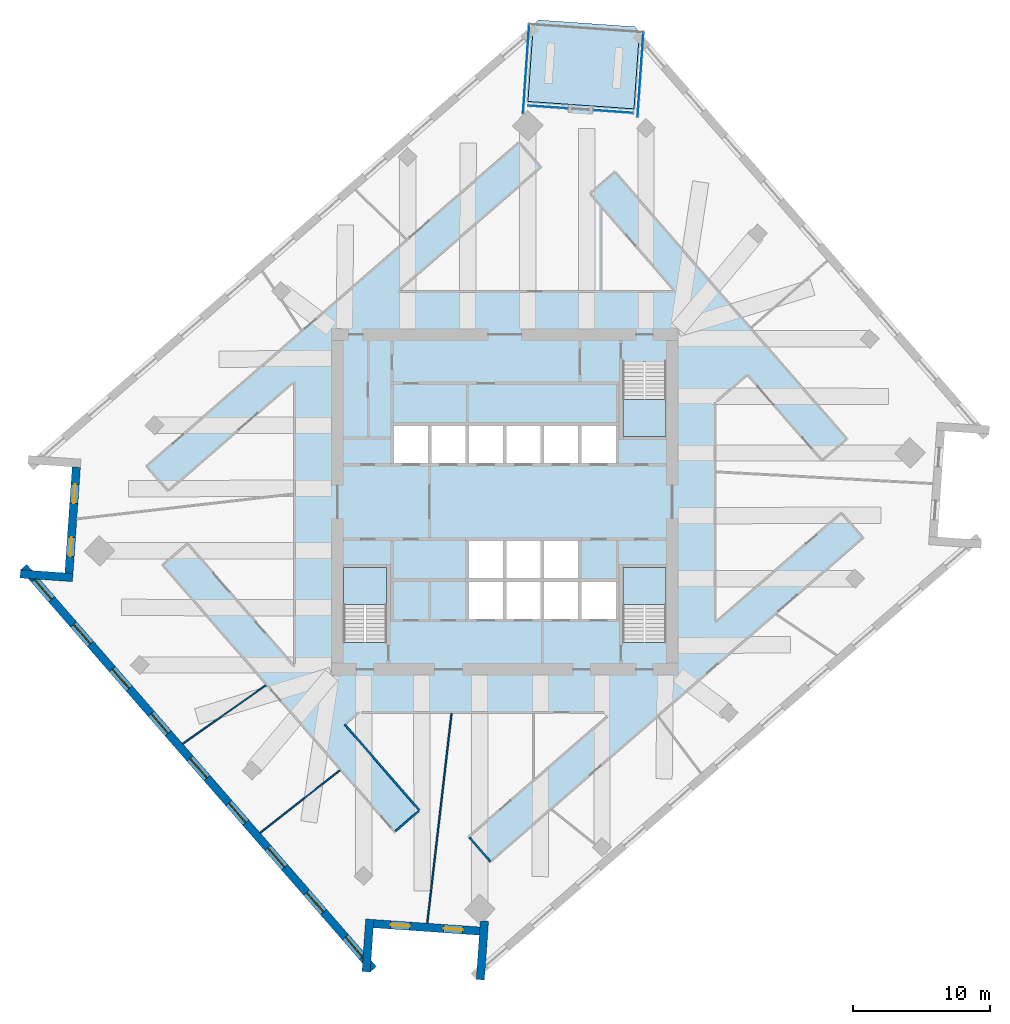
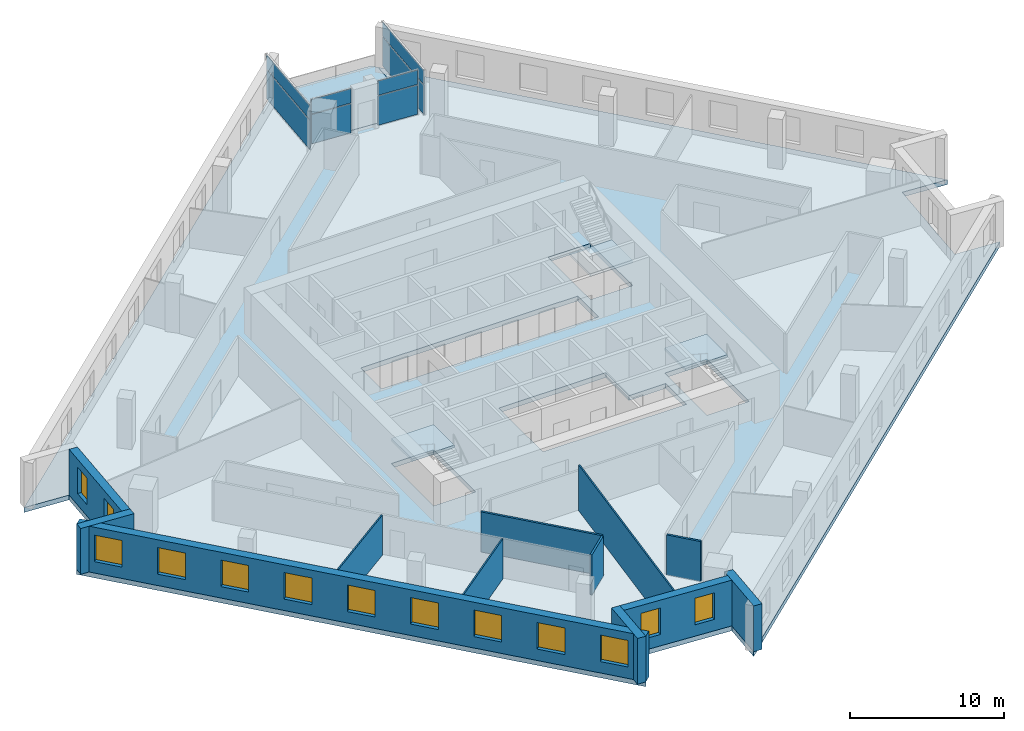
# One storey, part 3 of 11: 13 windows, 12 walls, 8 plates, 5 slabs, 13 openings, 7 elements without a shape of their own.
"""IFC4 building model written with IfcOpenShell, lengths in metres."""

import ifcopenshell
import ifcopenshell.guid

model = None  # the IFC model being written
_history = None  # IfcOwnerHistory: only IFC2X3 demands one
_inside = {}  # id of a spatial element -> (the spatial element, [elements in it])
_under = {}  # id of a project, library or spatial element -> (it, [spatial elements below it])
_declared = {}  # id of a project -> (the project, [libraries it declares])
_typed = {}  # id of a type object -> (the type object, [elements of that type])
_made_of = {}  # id of a material, layer set ... -> (it, [elements and type objects made of it])


def new_model(schema):
    """Start an empty IFC model of exactly this schema.

    Asked for "IFC4X3", IfcOpenShell would pick the latest addendum, in which some entities
    have other attributes; the version numbers below select the first issue.
    IFC2X3 requires an IfcOwnerHistory on every rooted entity: one is made here for all.
    """
    global model, _history
    if schema == "IFC4X3":
        model = ifcopenshell.file(schema_version=(4, 3, 0, 0))
    else:
        model = ifcopenshell.file(schema=schema)
    _inside.clear()
    _under.clear()
    _declared.clear()
    _typed.clear()
    _made_of.clear()
    _history = None
    if model.schema == "IFC2X3":
        org = make("IfcOrganization", Name="unknown")
        user = make(
            "IfcPersonAndOrganization",
            ThePerson=make("IfcPerson", FamilyName="unknown"),
            TheOrganization=org,
        )
        app = make(
            "IfcApplication",
            ApplicationDeveloper=org,
            Version="unknown",
            ApplicationFullName="unknown",
            ApplicationIdentifier="unknown",
        )
        _history = make(
            "IfcOwnerHistory",
            OwningUser=user,
            OwningApplication=app,
            ChangeAction="ADDED",
            CreationDate=0,
        )
    return model


def make(cls, **values):
    """One entity of the class cls with the attributes given. An attribute that is None is left unset."""
    return model.create_entity(
        cls, **{name: value for name, value in values.items() if value is not None}
    )


def rooted(cls, **values):
    """An entity with a GlobalId (a new one), such as an element, a storey or a relation."""
    return make(cls, GlobalId=ifcopenshell.guid.new(), OwnerHistory=_history, **values)


def si_unit(unit_type, name, prefix=None):
    """IfcSIUnit, for example si_unit("LENGTHUNIT", "METRE", prefix="MILLI")."""
    return make("IfcSIUnit", UnitType=unit_type, Prefix=prefix, Name=name)


def assignment(units):
    """IfcUnitAssignment: the units of a project."""
    return None if units is None else make("IfcUnitAssignment", Units=units)


def point(xyz):
    """IfcCartesianPoint."""
    return None if xyz is None else make("IfcCartesianPoint", Coordinates=xyz)


def direction(xyz):
    """IfcDirection."""
    return None if xyz is None else make("IfcDirection", DirectionRatios=xyz)


def frame(location, z_axis=None, x_axis=None):
    """IfcAxis2Placement3D, a coordinate frame: its origin and axes. An axis left out is left unset."""
    return make(
        "IfcAxis2Placement3D",
        Location=point(location),
        Axis=direction(z_axis),
        RefDirection=direction(x_axis),
    )


def frame_2d(location, x_axis=None):
    """IfcAxis2Placement2D, a coordinate frame in the plane: its origin and x axis."""
    return make(
        "IfcAxis2Placement2D", Location=point(location), RefDirection=direction(x_axis)
    )


def origin():
    """The frame at (0, 0, 0) with its axes left unset."""
    return frame((0.0, 0.0, 0.0))


def origin_2d():
    """The frame at (0, 0) in the plane with its x axis left unset."""
    return frame_2d((0.0, 0.0))


def place(relative_to, where):
    """IfcLocalPlacement: puts the frame where relative to a parent placement (None: the world)."""
    return make(
        "IfcLocalPlacement", PlacementRelTo=relative_to, RelativePlacement=where
    )


def context(
    kind, dimensions, precision=None, world=None, true_north=None, identifier=None
):
    """IfcGeometricRepresentationContext, for example the 3D "Model" context."""
    return make(
        "IfcGeometricRepresentationContext",
        ContextIdentifier=identifier,
        ContextType=kind,
        CoordinateSpaceDimension=dimensions,
        Precision=precision,
        WorldCoordinateSystem=world,
        TrueNorth=true_north,
    )


def subcontext(parent, identifier, kind, view, scale=None):
    """IfcGeometricRepresentationSubContext, for example "Body" below "Model"."""
    return make(
        "IfcGeometricRepresentationSubContext",
        ContextIdentifier=identifier,
        ContextType=kind,
        ParentContext=parent,
        TargetScale=scale,
        TargetView=view,
    )


def project(units=None, contexts=None):
    """IfcProject with its units and contexts."""
    return rooted(
        "IfcProject",
        Name="project",
        RepresentationContexts=contexts,
        UnitsInContext=assignment(units),
    )


def spatial(cls, under=None, at=None, **own):
    """A site, building, storey or space (cls), placed at a placement, below another one or the project."""
    s = rooted(cls, ObjectPlacement=at, **own)
    if under is not None:
        _under.setdefault(under.id(), (under, []))[1].append(s)
    return s


def polyline(points):
    """IfcPolyline through the points."""
    return make("IfcPolyline", Points=[point(p) for p in points])


def profile(cls, at=None, kind="AREA", **sizes):
    """A parametric profile (cls). Its sizes go by their IFC names, for example OverallWidth=200.0."""
    return make(cls, ProfileType=kind, Position=at, **sizes)


def rectangle(**sizes):
    """IfcRectangleProfileDef."""
    return profile("IfcRectangleProfileDef", **sizes)


def outline(outer, holes=None, kind="AREA"):
    """IfcArbitraryClosedProfileDef: a profile drawn as a closed curve; with holes, ...WithVoids."""
    if holes is None:
        return make("IfcArbitraryClosedProfileDef", ProfileType=kind, OuterCurve=outer)
    return make(
        "IfcArbitraryProfileDefWithVoids",
        ProfileType=kind,
        OuterCurve=outer,
        InnerCurves=holes,
    )


def extrude(swept, where, along, depth):
    """IfcExtrudedAreaSolid: the profile swept, set in the frame where, extruded along a direction by depth."""
    return make(
        "IfcExtrudedAreaSolid",
        SweptArea=swept,
        Position=where,
        ExtrudedDirection=direction(along),
        Depth=depth,
    )


def shape(context_of_items, identifier, shape_type, items):
    """IfcShapeRepresentation: the items that make up one representation, for example the "Body"."""
    return make(
        "IfcShapeRepresentation",
        ContextOfItems=context_of_items,
        RepresentationIdentifier=identifier,
        RepresentationType=shape_type,
        Items=items,
    )


def material(Name=None, Category=None):
    """IfcMaterial."""
    return make("IfcMaterial", Name=Name, Category=Category)


def layer(
    of_material, thickness, ventilated=None, Name=None, Category=None, Priority=None
):
    """IfcMaterialLayer: one layer of a wall or slab, of a material (None: an air gap)."""
    return make(
        "IfcMaterialLayer",
        Material=of_material,
        LayerThickness=thickness,
        IsVentilated=ventilated,
        Name=Name,
        Category=Category,
        Priority=Priority,
    )


def layer_set(layers, Name=None):
    """IfcMaterialLayerSet."""
    return make("IfcMaterialLayerSet", MaterialLayers=layers, LayerSetName=Name)


def made_of(thing, what):
    """Note that an element or type object is made of a material, layer set ...; save() writes the relation."""
    if what is not None:
        _made_of.setdefault(what.id(), (what, []))[1].append(thing)
    return thing


def type_object(cls, material=None, **own):
    """A type object (cls), such as IfcWallType, which elements share."""
    return made_of(rooted(cls, **own), material)


def element(
    cls,
    number,
    at=None,
    inside=None,
    cuts=None,
    type_object=None,
    material=None,
    context=None,
    identifier="Body",
    shape_type=None,
    held_by="IfcProductDefinitionShape",
    body=None,
    shapes=None,
    **own,
):
    """One element of the class cls, such as IfcWall. Its Tag is "e" and its number.

    at: its placement. inside: the storey or other place that contains it. cuts: it is an
    opening in that element (IfcRelVoidsElement). A single representation is given by context,
    identifier, shape_type and body (its items); several are given by shapes. held_by: the class
    of the entity that holds the representations. save() writes the other relations.
    """
    e = rooted(cls, Tag="e%d" % number, ObjectPlacement=at, **own)
    if body is not None:
        shapes = [shape(context, identifier, shape_type, body)]
    if shapes is not None:
        e.Representation = make(held_by, Representations=shapes)
    if inside is not None:
        _inside.setdefault(inside.id(), (inside, []))[1].append(e)
    if cuts is not None:
        rooted(
            "IfcRelVoidsElement", RelatingBuildingElement=cuts, RelatedOpeningElement=e
        )
    if type_object is not None:
        _typed.setdefault(type_object.id(), (type_object, []))[1].append(e)
    return made_of(e, material)


def fill(opening, filler):
    """IfcRelFillsElement: the door or window that sits in an opening."""
    return rooted(
        "IfcRelFillsElement",
        RelatingOpeningElement=opening,
        RelatedBuildingElement=filler,
    )


def aggregate(whole, parts):
    """IfcRelAggregates: a whole, such as a stair, and the parts it consists of."""
    return rooted("IfcRelAggregates", RelatingObject=whole, RelatedObjects=parts)


def save(model, path):
    """Write the relations noted so far, then the file.

    IfcRelAggregates (storeys below a building ...), IfcRelContainedInSpatialStructure (elements
    in a storey), IfcRelDefinesByType, IfcRelAssociatesMaterial and IfcRelDeclares: one each for
    every whole, place, type object, material and project.
    """
    for whole, parts in _under.values():
        aggregate(whole, parts)
    for where, things in _inside.values():
        rooted(
            "IfcRelContainedInSpatialStructure",
            RelatedElements=things,
            RelatingStructure=where,
        )
    for kind, things in _typed.values():
        rooted("IfcRelDefinesByType", RelatedObjects=things, RelatingType=kind)
    for what, things in _made_of.values():
        rooted("IfcRelAssociatesMaterial", RelatedObjects=things, RelatingMaterial=what)
    for by, libraries in _declared.values():
        rooted("IfcRelDeclares", RelatingContext=by, RelatedDefinitions=libraries)
    model.write(path)


model = new_model("IFC4")

# Units and contexts
model_context = context("Model", 3, precision=1e-05, world=origin(), true_north=direction((0.0, 1.0)))
body_context = subcontext(model_context, "Body", "Model", "MODEL_VIEW")
ifc_project = project(units=[si_unit("LENGTHUNIT", "METRE"), si_unit("AREAUNIT", "SQUARE_METRE"), si_unit("VOLUMEUNIT", "CUBIC_METRE"), si_unit("PLANEANGLEUNIT", "RADIAN"), si_unit("MASSUNIT", "GRAM", prefix="KILO")], contexts=[model_context])

# Site, building, storey
site_placement = place(None, origin())
site = spatial("IfcSite", under=ifc_project, at=site_placement, CompositionType="ELEMENT")
building_placement = place(site_placement, origin())
building = spatial("IfcBuilding", under=site, at=building_placement, Name="Dilmun Exchange Tower", CompositionType="ELEMENT")
storey_placement = place(building_placement, frame((0.0, 0.0, 189.300048828125)))
storey = spatial("IfcBuildingStorey", under=building, at=storey_placement, Name="L44", CompositionType="ELEMENT", Elevation=189.300048828125)

# Stair, slab
ifc_material_1 = material(Name="Concrete C40/50", Category="concrete")
stair_type = type_object("IfcStairType", Name="Exit stair 1500 half-turn", PredefinedType="HALF_TURN_STAIR", material=ifc_material_1)
stair_1_placement = place(storey_placement, origin())
stair_1 = element("IfcStair", 1, at=stair_1_placement, inside=storey, type_object=stair_type, Name="L44 Protected exit stair ST1", PredefinedType="HALF_TURN_STAIR")
ifc_layer_1 = layer(ifc_material_1, 0.199951171875)
ifc_layer_set_1 = layer_set([ifc_layer_1], Name="Concrete C40/50")
slab_type_1 = type_object("IfcSlabType", Name="Exit stair landing 200", PredefinedType="LANDING", material=ifc_layer_set_1)
slab_1_placement = place(storey_placement, frame((0.0, 0.0, 1.800048828125)))
slab_1 = element("IfcSlab", 2, at=slab_1_placement, type_object=slab_type_1, Name="ST1 landing 1", PredefinedType="LANDING", context=body_context, shape_type="SweptSolid", body=[
    extrude(outline(polyline([(8.64990234375, 7.5), (8.64990234375, 4.800048828125), (11.800048828125, 4.800048828125), (11.800048828125, 7.5), (8.64990234375, 7.5)])), origin(), (0.0, 0.0, 1.0), 0.199951171875),
])
aggregate(stair_1, [slab_1])

stair_2_placement = place(storey_placement, origin())
stair_2 = element("IfcStair", 3, at=stair_2_placement, inside=storey, type_object=stair_type, Name="L44 Protected exit stair ST2", PredefinedType="HALF_TURN_STAIR")
slab_2_placement = place(storey_placement, frame((0.0, 0.0, 1.800048828125)))
slab_2 = element("IfcSlab", 4, at=slab_2_placement, type_object=slab_type_1, Name="ST2 landing 1", PredefinedType="LANDING", context=body_context, shape_type="SweptSolid", body=[
    extrude(outline(polyline([(-8.64990234375, -7.5), (-8.64990234375, -4.800048828125), (-11.800048828125, -4.800048828125), (-11.800048828125, -7.5), (-8.64990234375, -7.5)])), origin(), (0.0, 0.0, 1.0), 0.199951171875),
])
aggregate(stair_2, [slab_2])

stair_3_placement = place(storey_placement, origin())
stair_3 = element("IfcStair", 5, at=stair_3_placement, inside=storey, type_object=stair_type, Name="L44 Protected exit stair ST3", PredefinedType="HALF_TURN_STAIR")
slab_3_placement = place(storey_placement, frame((0.0, 0.0, 1.800048828125)))
slab_3 = element("IfcSlab", 6, at=slab_3_placement, type_object=slab_type_1, Name="ST3 landing 1", PredefinedType="LANDING", context=body_context, shape_type="SweptSolid", body=[
    extrude(outline(polyline([(11.800048828125, -7.5), (11.800048828125, -4.800048828125), (8.64990234375, -4.800048828125), (8.64990234375, -7.5), (11.800048828125, -7.5)])), origin(), (0.0, 0.0, 1.0), 0.199951171875),
])
aggregate(stair_3, [slab_3])

# Curtain wall, plates
ifc_material_2 = material(Name="Anodised aluminium and clear glass", Category="aluminium")
curtain_wall_type = type_object("IfcCurtainWallType", Name="Garden corner glazing", PredefinedType="NOTDEFINED", material=ifc_material_2)
curtain_wall_1_placement = place(storey_placement, origin())
curtain_wall_1 = element("IfcCurtainWall", 7, at=curtain_wall_1_placement, inside=storey, type_object=curtain_wall_type, Name="Garden corner glazing run GC1.1", PredefinedType="NOTDEFINED")
ifc_material_3 = material(Name="Clear glass", Category="glass")
ifc_layer_2 = layer(ifc_material_3, 0.028076171875)
ifc_layer_set_2 = layer_set([ifc_layer_2], Name="Clear glass")
plate_type = type_object("IfcPlateType", Name="Garden corner glazing glass panel 28", PredefinedType="CURTAIN_PANEL", material=ifc_layer_set_2)
plate_1_placement = place(storey_placement, frame((9.929443359375, 31.26220703125, 0.059814453125), z_axis=(0.0, 0.0, 1.0), x_axis=(-0.06975202085, -0.997564361627, 0.0)))
plate_1 = element("IfcPlate", 8, at=plate_1_placement, type_object=plate_type, Name="GC1.1 panel 1.1", PredefinedType="CURTAIN_PANEL", context=body_context, shape_type="SweptSolid", body=[
    extrude(rectangle(XDim=6.12646484375, YDim=0.028076171875, at=origin_2d()), origin(), (0.0, 0.0, 1.0), 2.31005859375),
])
plate_2_placement = place(storey_placement, frame((9.929443359375, 31.26220703125, 2.429931640625), z_axis=(0.0, 0.0, 1.0), x_axis=(-0.06975202085, -0.997564361627, 0.0)))
plate_2 = element("IfcPlate", 9, at=plate_2_placement, type_object=plate_type, Name="GC1.1 panel 1.2", PredefinedType="CURTAIN_PANEL", context=body_context, shape_type="SweptSolid", body=[
    extrude(rectangle(XDim=6.12646484375, YDim=0.028076171875, at=origin_2d()), origin(), (0.0, 0.0, 1.0), 1.1298828125),
])
aggregate(curtain_wall_1, [plate_1, plate_2])

curtain_wall_2_placement = place(storey_placement, origin())
curtain_wall_2 = element("IfcCurtainWall", 10, at=curtain_wall_2_placement, inside=storey, type_object=curtain_wall_type, Name="Garden corner glazing run GC2.1", PredefinedType="NOTDEFINED")
plate_3_placement = place(storey_placement, frame((7.9423828125, 28.57080078125, 0.059814453125), z_axis=(0.0, 0.0, 1.0), x_axis=(-0.997561902605, 0.069787179845, 0.0)))
plate_3 = element("IfcPlate", 11, at=plate_3_placement, type_object=plate_type, Name="GC2.1 panel 1.1", PredefinedType="CURTAIN_PANEL", context=body_context, shape_type="SweptSolid", body=[
    extrude(rectangle(XDim=2.869140625, YDim=0.028076171875, at=origin_2d()), origin(), (0.0, 0.0, 1.0), 2.31005859375),
])
plate_4_placement = place(storey_placement, frame((7.9423828125, 28.57080078125, 2.429931640625), z_axis=(0.0, 0.0, 1.0), x_axis=(-0.997561902605, 0.069787179845, 0.0)))
plate_4 = element("IfcPlate", 12, at=plate_4_placement, type_object=plate_type, Name="GC2.1 panel 1.2", PredefinedType="CURTAIN_PANEL", context=body_context, shape_type="SweptSolid", body=[
    extrude(rectangle(XDim=2.869140625, YDim=0.028076171875, at=origin_2d()), origin(), (0.0, 0.0, 1.0), 1.1298828125),
])
aggregate(curtain_wall_2, [plate_3, plate_4])

curtain_wall_3_placement = place(storey_placement, origin())
curtain_wall_3 = element("IfcCurtainWall", 13, at=curtain_wall_3_placement, inside=storey, type_object=curtain_wall_type, Name="Garden corner glazing run GC2.3", PredefinedType="NOTDEFINED")
plate_5_placement = place(storey_placement, frame((3.1650390625, 28.905029296875, 0.059814453125), z_axis=(0.0, 0.0, 1.0), x_axis=(-0.997564231094, 0.069753887652, 0.0)))
plate_5 = element("IfcPlate", 14, at=plate_5_placement, type_object=plate_type, Name="GC2.3 panel 1.1", PredefinedType="CURTAIN_PANEL", context=body_context, shape_type="SweptSolid", body=[
    extrude(rectangle(XDim=2.869140625, YDim=0.028076171875, at=origin_2d()), origin(), (0.0, 0.0, 1.0), 2.31005859375),
])
plate_6_placement = place(storey_placement, frame((3.1650390625, 28.905029296875, 2.429931640625), z_axis=(0.0, 0.0, 1.0), x_axis=(-0.997564231094, 0.069753887652, 0.0)))
plate_6 = element("IfcPlate", 15, at=plate_6_placement, type_object=plate_type, Name="GC2.3 panel 1.2", PredefinedType="CURTAIN_PANEL", context=body_context, shape_type="SweptSolid", body=[
    extrude(rectangle(XDim=2.869140625, YDim=0.028076171875, at=origin_2d()), origin(), (0.0, 0.0, 1.0), 1.1298828125),
])
aggregate(curtain_wall_3, [plate_5, plate_6])

curtain_wall_4_placement = place(storey_placement, origin())
curtain_wall_4 = element("IfcCurtainWall", 16, at=curtain_wall_4_placement, inside=storey, type_object=curtain_wall_type, Name="Garden corner glazing run GC3.1", PredefinedType="NOTDEFINED")
plate_7_placement = place(storey_placement, frame((1.559814453125, 31.675537109375, 0.059814453125), z_axis=(0.0, 0.0, 1.0), x_axis=(0.069752103743, 0.99756435583, 0.0)))
plate_7 = element("IfcPlate", 17, at=plate_7_placement, type_object=plate_type, Name="GC3.1 panel 1.1", PredefinedType="CURTAIN_PANEL", context=body_context, shape_type="SweptSolid", body=[
    extrude(rectangle(XDim=6.468994140625, YDim=0.028076171875, at=origin_2d()), origin(), (0.0, 0.0, 1.0), 2.31005859375),
])
plate_8_placement = place(storey_placement, frame((1.559814453125, 31.675537109375, 2.429931640625), z_axis=(0.0, 0.0, 1.0), x_axis=(0.069752103743, 0.99756435583, 0.0)))
plate_8 = element("IfcPlate", 18, at=plate_8_placement, type_object=plate_type, Name="GC3.1 panel 1.2", PredefinedType="CURTAIN_PANEL", context=body_context, shape_type="SweptSolid", body=[
    extrude(rectangle(XDim=6.468994140625, YDim=0.028076171875, at=origin_2d()), origin(), (0.0, 0.0, 1.0), 1.1298828125),
])
aggregate(curtain_wall_4, [plate_7, plate_8])

# Slabs
ifc_layer_3 = layer(ifc_material_1, 0.3798828125)
ifc_layer_set_3 = layer_set([ifc_layer_3], Name="Concrete C40/50")
slab_type_2 = type_object("IfcSlabType", Name="RC floor slab 380", PredefinedType="FLOOR", material=ifc_layer_set_3)
slab_4_placement = place(storey_placement, frame((0.0, 0.0, -0.380126953125)))
element("IfcSlab", 19, at=slab_4_placement, inside=storey, type_object=slab_type_2, Name="Floor slab", PredefinedType="FLOOR", context=body_context, shape_type="SweptSolid", body=[
    extrude(outline(polyline([(32.19580078125, 5.19140625), (31.6533203125, -2.56787109375), (34.891845703125, -2.794189453125), (-2.0888671875, -34.941162109375), (-1.8623046875, -31.70263671875), (-9.62158203125, -31.16015625), (-9.84814453125, -34.398681640625), (-35.434326171875, -4.96484375), (-32.19580078125, -5.19140625), (-31.6533203125, 2.56787109375), (-34.891845703125, 2.794189453125), (2.0888671875, 34.941162109375), (1.695068359375, 29.30859375), (9.454345703125, 28.765869140625), (9.84814453125, 34.398681640625), (35.434326171875, 4.96484375), (32.19580078125, 5.19140625)]), holes=[polyline([(-8.64990234375, -4.800048828125), (-11.800048828125, -4.800048828125), (-11.800048828125, -10.294921875), (-8.64990234375, -10.294921875), (-8.64990234375, -4.800048828125)]), polyline([(11.800048828125, -4.800048828125), (8.64990234375, -4.800048828125), (8.64990234375, -10.294921875), (11.800048828125, -10.294921875), (11.800048828125, -4.800048828125)]), polyline([(5.375, -2.85009765625), (-2.625, -2.85009765625), (-2.625, -8.550048828125), (8.125, -8.550048828125), (8.125, -5.85009765625), (5.375, -5.85009765625), (5.375, -2.85009765625)]), polyline([(8.125, 2.85009765625), (8.125, 5.550048828125), (-8.125, 5.550048828125), (-8.125, 2.85009765625), (8.125, 2.85009765625)]), polyline([(8.64990234375, 10.294921875), (8.64990234375, 4.800048828125), (11.800048828125, 4.800048828125), (11.800048828125, 10.294921875), (8.64990234375, 10.294921875)])]), origin(), (0.0, 0.0, 1.0), 0.380126953125),
])
ifc_layer_4 = layer(ifc_material_1, 0.300048828125)
ifc_layer_set_4 = layer_set([ifc_layer_4], Name="Concrete C40/50")
slab_type_3 = type_object("IfcSlabType", Name="RC garden terrace slab 300", PredefinedType="FLOOR", material=ifc_layer_set_4)
slab_5_placement = place(storey_placement, frame((0.0, 0.0, -0.300048828125)))
element("IfcSlab", 20, at=slab_5_placement, inside=storey, type_object=slab_type_3, Name="Garden terrace slab", PredefinedType="FLOOR", context=body_context, shape_type="SweptSolid", body=[
    extrude(outline(polyline([(1.695068359375, 29.30859375), (2.0888671875, 34.941162109375), (2.46630859375, 35.269287109375), (9.52001953125, 34.77587890625), (9.84814453125, 34.398681640625), (9.454345703125, 28.765869140625), (1.695068359375, 29.30859375)])), origin(), (0.0, 0.0, 1.0), 0.300048828125),
])

# Walls
ifc_material_4 = material(Name="Corridor wall 150")
ifc_layer_5 = layer(ifc_material_4, 0.14990234375)
ifc_layer_set_5 = layer_set([ifc_layer_5], Name="Corridor wall 150")
wall_type_1 = type_object("IfcWallType", Name="Corridor wall 150", PredefinedType="PARTITIONING", material=ifc_layer_set_5)
wall_1_placement = place(storey_placement, frame((-11.705078125, -16.284912109375, 0.0), z_axis=(0.0, 0.0, 1.0), x_axis=(0.656018266208, -0.754745012837, 0.0)))
element("IfcWall", 21, at=wall_1_placement, inside=storey, type_object=wall_type_1, Name="Corridor wall", PredefinedType="PARTITIONING", context=body_context, shape_type="SweptSolid", body=[
    extrude(rectangle(XDim=8.326171875, YDim=0.14990234375, at=frame_2d((4.1630859375, 0.0))), origin(), (0.0, 0.0, 1.0), 3.169921875),
])
wall_2_placement = place(storey_placement, frame((-7.997314453125, -24.0947265625, 0.0), z_axis=(0.0, 0.0, 1.0), x_axis=(0.754549456123, 0.656243185308, 0.0)))
element("IfcWall", 22, at=wall_2_placement, inside=storey, type_object=wall_type_1, Name="Corridor wall", PredefinedType="PARTITIONING", context=body_context, shape_type="SweptSolid", body=[
    extrude(rectangle(XDim=2.25, YDim=0.14990234375, at=frame_2d((1.125, 0.0))), origin(), (0.0, 0.0, 1.0), 3.169921875),
])
wall_3_placement = place(storey_placement, frame((-2.581787109375, -24.5615234375, 0.0), z_axis=(0.0, 0.0, 1.0), x_axis=(0.655809509093, -0.754926412164, 0.0)))
element("IfcWall", 23, at=wall_3_placement, inside=storey, type_object=wall_type_1, Name="Corridor wall", PredefinedType="PARTITIONING", context=body_context, shape_type="SweptSolid", body=[
    extrude(rectangle(XDim=2.3251953125, YDim=0.14990234375, at=frame_2d((1.16259765625, 0.0))), origin(), (0.0, 0.0, 1.0), 3.169921875),
])
ifc_material_5 = material(Name="Partition 100")
ifc_layer_6 = layer(ifc_material_5, 0.10009765625)
ifc_layer_set_6 = layer_set([ifc_layer_6], Name="Partition 100")
wall_type_2 = type_object("IfcWallType", Name="Partition 100", PredefinedType="PARTITIONING", material=ifc_layer_set_6)
wall_4_placement = place(storey_placement, frame((-23.568115234375, -17.69775390625, 0.0), z_axis=(0.0, 0.0, 1.0), x_axis=(0.817824726915, 0.575467389212, 0.0)))
element("IfcWall", 24, at=wall_4_placement, inside=storey, type_object=wall_type_2, Name="Partition", PredefinedType="PARTITIONING", context=body_context, shape_type="SweptSolid", body=[
    extrude(rectangle(XDim=7.438232421875, YDim=0.10009765625, at=frame_2d((3.71923828125, 0.0))), origin(), (0.0, 0.0, 1.0), 3.169921875),
])
wall_5_placement = place(storey_placement, frame((-17.90283203125, -24.215087890625, 0.0), z_axis=(0.0, 0.0, 1.0), x_axis=(0.786835853262, 0.617162328744, 0.0)))
element("IfcWall", 25, at=wall_5_placement, inside=storey, type_object=wall_type_2, Name="Partition", PredefinedType="PARTITIONING", context=body_context, shape_type="SweptSolid", body=[
    extrude(rectangle(XDim=7.41162109375, YDim=0.10009765625, at=frame_2d((3.705810546875, 0.0))), origin(), (0.0, 0.0, 1.0), 3.169921875),
])
wall_6_placement = place(storey_placement, frame((-5.673828125, -30.832763671875, 0.0), z_axis=(0.0, 0.0, 1.0), x_axis=(0.114957483757, 0.993370412751, 0.0)))
element("IfcWall", 26, at=wall_6_placement, inside=storey, type_object=wall_type_2, Name="Partition", PredefinedType="PARTITIONING", context=body_context, shape_type="SweptSolid", body=[
    extrude(rectangle(XDim=15.45458984375, YDim=0.10009765625, at=frame_2d((7.727294921875, 0.0))), origin(), (0.0, 0.0, 1.0), 3.619873046875),
])

# Wall, openings, windows
ifc_material_6 = material(Name="Precast concrete C50/60", Category="concrete")
ifc_layer_7 = layer(ifc_material_6, 0.60009765625)
ifc_layer_set_7 = layer_set([ifc_layer_7], Name="Precast concrete C50/60")
wall_type_3 = type_object("IfcWallType", Name="Precast stone-clad wall 600", PredefinedType="STANDARD", material=ifc_layer_set_7)
wall_7_placement = place(storey_placement, frame((-31.35400390625, 2.546875, 0.0), z_axis=(0.0, 0.0, 1.0), x_axis=(-0.069743544409, -0.997564954283, 0.0)))
wall_7 = element("IfcWall", 27, at=wall_7_placement, inside=storey, type_object=wall_type_3, Name="Facade wall L44-05", PredefinedType="STANDARD", context=body_context, shape_type="SweptSolid", body=[
    extrude(rectangle(XDim=7.7783203125, YDim=0.60009765625, at=frame_2d((3.88916015625, 0.0))), origin(), (0.0, 0.0, 1.0), 3.619873046875),
])
opening_1_placement = place(wall_7_placement, frame((1.244384765625, 0.0, 0.89990234375)))
opening_1 = element("IfcOpeningElement", 28, at=opening_1_placement, cuts=wall_7, Name="Opening W140-210", PredefinedType="OPENING", context=body_context, shape_type="SweptSolid", body=[
    extrude(rectangle(XDim=1.39990234375, YDim=2.10009765625, at=frame_2d((0.699951171875, 1.050048828125))), frame((0.0, 0.31005859375, 0.0), z_axis=(0.0, -1.0, 0.0), x_axis=(1.0, 0.0, 0.0)), (0.0, 0.0, 1.0), 0.6201171875),
])
opening_2_placement = place(wall_7_placement, frame((5.133544921875, 0.0, 0.89990234375)))
opening_2 = element("IfcOpeningElement", 29, at=opening_2_placement, cuts=wall_7, Name="Opening W140-210", PredefinedType="OPENING", context=body_context, shape_type="SweptSolid", body=[
    extrude(rectangle(XDim=1.39990234375, YDim=2.10009765625, at=frame_2d((0.699951171875, 1.050048828125))), frame((0.0, 0.31005859375, 0.0), z_axis=(0.0, -1.0, 0.0), x_axis=(1.0, 0.0, 0.0)), (0.0, 0.0, 1.0), 0.6201171875),
])
ifc_material_7 = material(Name="Clear low-emissivity glass in aluminium frame", Category="aluminium")
window_type_1 = type_object("IfcWindowType", Name="Punched window 1400 x 2100", PartitioningType="DOUBLE_PANEL_VERTICAL", PredefinedType="WINDOW", material=ifc_material_7)
window_1_placement = place(opening_1_placement, origin())
window_1 = element("IfcWindow", 30, at=window_1_placement, inside=storey, type_object=window_type_1, Name="Window 6.1", OverallHeight=2.10009765625, OverallWidth=1.39990234375, PartitioningType="SINGLE_PANEL", PredefinedType="WINDOW", context=body_context, shape_type="SweptSolid", body=[
    extrude(rectangle(XDim=1.39990234375, YDim=2.10009765625, at=frame_2d((0.699951171875, 1.050048828125))), frame((0.0, 0.030029296875, 0.0), z_axis=(0.0, -1.0, 0.0), x_axis=(1.0, 0.0, 0.0)), (0.0, 0.0, 1.0), 0.06005859375),
])
fill(opening_1, window_1)
window_2_placement = place(opening_2_placement, origin())
window_2 = element("IfcWindow", 31, at=window_2_placement, inside=storey, type_object=window_type_1, Name="Window 6.2", OverallHeight=2.10009765625, OverallWidth=1.39990234375, PartitioningType="SINGLE_PANEL", PredefinedType="WINDOW", context=body_context, shape_type="SweptSolid", body=[
    extrude(rectangle(XDim=1.39990234375, YDim=2.10009765625, at=frame_2d((0.699951171875, 1.050048828125))), frame((0.0, 0.030029296875, 0.0), z_axis=(0.0, -1.0, 0.0), x_axis=(1.0, 0.0, 0.0)), (0.0, 0.0, 1.0), 0.06005859375),
])
fill(opening_2, window_2)

# Wall
wall_8_placement = place(storey_placement, frame((-31.618408203125, -5.532470703125, 0.0), z_axis=(0.0, 0.0, 1.0), x_axis=(-0.997563916762, 0.069758382828, 0.0)))
element("IfcWall", 32, at=wall_8_placement, inside=storey, type_object=wall_type_3, Name="Facade wall L44-06", PredefinedType="STANDARD", context=body_context, shape_type="SweptSolid", body=[
    extrude(rectangle(XDim=3.84619140625, YDim=0.60009765625, at=frame_2d((1.923095703125, 0.0))), origin(), (0.0, 0.0, 1.0), 3.619873046875),
])

# Wall, openings, windows
wall_9_placement = place(storey_placement, frame((-35.2080078125, -4.76806640625, 0.0), z_axis=(0.0, 0.0, 1.0), x_axis=(0.656058749455, -0.754709823219, 0.0)))
wall_9 = element("IfcWall", 33, at=wall_9_placement, inside=storey, type_object=wall_type_3, Name="Facade wall L44-07", PredefinedType="STANDARD", context=body_context, shape_type="SweptSolid", body=[
    extrude(rectangle(XDim=39.000244140625, YDim=0.60009765625, at=frame_2d((19.5, 0.0))), origin(), (0.0, 0.0, 1.0), 3.619873046875),
])
opening_3_placement = place(wall_9_placement, frame((1.216796875, 0.0, 0.89990234375)))
opening_3 = element("IfcOpeningElement", 34, at=opening_3_placement, cuts=wall_9, Name="Opening W190-210", PredefinedType="OPENING", context=body_context, shape_type="SweptSolid", body=[
    extrude(rectangle(XDim=1.89990234375, YDim=2.10009765625, at=frame_2d((0.949951171875, 1.050048828125))), frame((0.0, 0.31005859375, 0.0), z_axis=(0.0, -1.0, 0.0), x_axis=(1.0, 0.0, 0.0)), (0.0, 0.0, 1.0), 0.6201171875),
])
opening_4_placement = place(wall_9_placement, frame((5.550048828125, 0.0, 0.89990234375)))
opening_4 = element("IfcOpeningElement", 35, at=opening_4_placement, cuts=wall_9, Name="Opening W190-210", PredefinedType="OPENING", context=body_context, shape_type="SweptSolid", body=[
    extrude(rectangle(XDim=1.89990234375, YDim=2.10009765625, at=frame_2d((0.949951171875, 1.050048828125))), frame((0.0, 0.31005859375, 0.0), z_axis=(0.0, -1.0, 0.0), x_axis=(1.0, 0.0, 0.0)), (0.0, 0.0, 1.0), 0.6201171875),
])
opening_5_placement = place(wall_9_placement, frame((9.88330078125, 0.0, 0.89990234375)))
opening_5 = element("IfcOpeningElement", 36, at=opening_5_placement, cuts=wall_9, Name="Opening W190-210", PredefinedType="OPENING", context=body_context, shape_type="SweptSolid", body=[
    extrude(rectangle(XDim=1.89990234375, YDim=2.10009765625, at=frame_2d((0.949951171875, 1.050048828125))), frame((0.0, 0.31005859375, 0.0), z_axis=(0.0, -1.0, 0.0), x_axis=(1.0, 0.0, 0.0)), (0.0, 0.0, 1.0), 0.6201171875),
])
opening_6_placement = place(wall_9_placement, frame((14.216796875, 0.0, 0.89990234375)))
opening_6 = element("IfcOpeningElement", 37, at=opening_6_placement, cuts=wall_9, Name="Opening W190-210", PredefinedType="OPENING", context=body_context, shape_type="SweptSolid", body=[
    extrude(rectangle(XDim=1.89990234375, YDim=2.10009765625, at=frame_2d((0.949951171875, 1.050048828125))), frame((0.0, 0.31005859375, 0.0), z_axis=(0.0, -1.0, 0.0), x_axis=(1.0, 0.0, 0.0)), (0.0, 0.0, 1.0), 0.6201171875),
])
opening_7_placement = place(wall_9_placement, frame((18.550048828125, 0.0, 0.89990234375)))
opening_7 = element("IfcOpeningElement", 38, at=opening_7_placement, cuts=wall_9, Name="Opening W190-210", PredefinedType="OPENING", context=body_context, shape_type="SweptSolid", body=[
    extrude(rectangle(XDim=1.89990234375, YDim=2.10009765625, at=frame_2d((0.949951171875, 1.050048828125))), frame((0.0, 0.31005859375, 0.0), z_axis=(0.0, -1.0, 0.0), x_axis=(1.0, 0.0, 0.0)), (0.0, 0.0, 1.0), 0.6201171875),
])
opening_8_placement = place(wall_9_placement, frame((22.88330078125, 0.0, 0.89990234375)))
opening_8 = element("IfcOpeningElement", 39, at=opening_8_placement, cuts=wall_9, Name="Opening W190-210", PredefinedType="OPENING", context=body_context, shape_type="SweptSolid", body=[
    extrude(rectangle(XDim=1.89990234375, YDim=2.10009765625, at=frame_2d((0.949951171875, 1.050048828125))), frame((0.0, 0.31005859375, 0.0), z_axis=(0.0, -1.0, 0.0), x_axis=(1.0, 0.0, 0.0)), (0.0, 0.0, 1.0), 0.6201171875),
])
opening_9_placement = place(wall_9_placement, frame((27.216796875, 0.0, 0.89990234375)))
opening_9 = element("IfcOpeningElement", 40, at=opening_9_placement, cuts=wall_9, Name="Opening W190-210", PredefinedType="OPENING", context=body_context, shape_type="SweptSolid", body=[
    extrude(rectangle(XDim=1.89990234375, YDim=2.10009765625, at=frame_2d((0.949951171875, 1.050048828125))), frame((0.0, 0.31005859375, 0.0), z_axis=(0.0, -1.0, 0.0), x_axis=(1.0, 0.0, 0.0)), (0.0, 0.0, 1.0), 0.6201171875),
])
opening_10_placement = place(wall_9_placement, frame((31.550048828125, 0.0, 0.89990234375)))
opening_10 = element("IfcOpeningElement", 41, at=opening_10_placement, cuts=wall_9, Name="Opening W190-210", PredefinedType="OPENING", context=body_context, shape_type="SweptSolid", body=[
    extrude(rectangle(XDim=1.89990234375, YDim=2.10009765625, at=frame_2d((0.949951171875, 1.050048828125))), frame((0.0, 0.31005859375, 0.0), z_axis=(0.0, -1.0, 0.0), x_axis=(1.0, 0.0, 0.0)), (0.0, 0.0, 1.0), 0.6201171875),
])
opening_11_placement = place(wall_9_placement, frame((35.88330078125, 0.0, 0.89990234375)))
opening_11 = element("IfcOpeningElement", 42, at=opening_11_placement, cuts=wall_9, Name="Opening W190-210", PredefinedType="OPENING", context=body_context, shape_type="SweptSolid", body=[
    extrude(rectangle(XDim=1.89990234375, YDim=2.10009765625, at=frame_2d((0.949951171875, 1.050048828125))), frame((0.0, 0.31005859375, 0.0), z_axis=(0.0, -1.0, 0.0), x_axis=(1.0, 0.0, 0.0)), (0.0, 0.0, 1.0), 0.6201171875),
])
window_type_2 = type_object("IfcWindowType", Name="Punched window 1900 x 2100", PartitioningType="DOUBLE_PANEL_VERTICAL", PredefinedType="WINDOW", material=ifc_material_7)
window_3_placement = place(opening_3_placement, origin())
window_3 = element("IfcWindow", 43, at=window_3_placement, inside=storey, type_object=window_type_2, Name="Window 8.1", OverallHeight=2.10009765625, OverallWidth=1.89990234375, PartitioningType="SINGLE_PANEL", PredefinedType="WINDOW", context=body_context, shape_type="SweptSolid", body=[
    extrude(rectangle(XDim=1.89990234375, YDim=2.10009765625, at=frame_2d((0.949951171875, 1.050048828125))), frame((0.0, 0.030029296875, 0.0), z_axis=(0.0, -1.0, 0.0), x_axis=(1.0, 0.0, 0.0)), (0.0, 0.0, 1.0), 0.06005859375),
])
fill(opening_3, window_3)
window_4_placement = place(opening_4_placement, origin())
window_4 = element("IfcWindow", 44, at=window_4_placement, inside=storey, type_object=window_type_2, Name="Window 8.2", OverallHeight=2.10009765625, OverallWidth=1.89990234375, PartitioningType="SINGLE_PANEL", PredefinedType="WINDOW", context=body_context, shape_type="SweptSolid", body=[
    extrude(rectangle(XDim=1.89990234375, YDim=2.10009765625, at=frame_2d((0.949951171875, 1.050048828125))), frame((0.0, 0.030029296875, 0.0), z_axis=(0.0, -1.0, 0.0), x_axis=(1.0, 0.0, 0.0)), (0.0, 0.0, 1.0), 0.06005859375),
])
fill(opening_4, window_4)
window_5_placement = place(opening_5_placement, origin())
window_5 = element("IfcWindow", 45, at=window_5_placement, inside=storey, type_object=window_type_2, Name="Window 8.3", OverallHeight=2.10009765625, OverallWidth=1.89990234375, PartitioningType="SINGLE_PANEL", PredefinedType="WINDOW", context=body_context, shape_type="SweptSolid", body=[
    extrude(rectangle(XDim=1.89990234375, YDim=2.10009765625, at=frame_2d((0.949951171875, 1.050048828125))), frame((0.0, 0.030029296875, 0.0), z_axis=(0.0, -1.0, 0.0), x_axis=(1.0, 0.0, 0.0)), (0.0, 0.0, 1.0), 0.06005859375),
])
fill(opening_5, window_5)
window_6_placement = place(opening_6_placement, origin())
window_6 = element("IfcWindow", 46, at=window_6_placement, inside=storey, type_object=window_type_2, Name="Window 8.4", OverallHeight=2.10009765625, OverallWidth=1.89990234375, PartitioningType="SINGLE_PANEL", PredefinedType="WINDOW", context=body_context, shape_type="SweptSolid", body=[
    extrude(rectangle(XDim=1.89990234375, YDim=2.10009765625, at=frame_2d((0.949951171875, 1.050048828125))), frame((0.0, 0.030029296875, 0.0), z_axis=(0.0, -1.0, 0.0), x_axis=(1.0, 0.0, 0.0)), (0.0, 0.0, 1.0), 0.06005859375),
])
fill(opening_6, window_6)
window_7_placement = place(opening_7_placement, origin())
window_7 = element("IfcWindow", 47, at=window_7_placement, inside=storey, type_object=window_type_2, Name="Window 8.5", OverallHeight=2.10009765625, OverallWidth=1.89990234375, PartitioningType="SINGLE_PANEL", PredefinedType="WINDOW", context=body_context, shape_type="SweptSolid", body=[
    extrude(rectangle(XDim=1.89990234375, YDim=2.10009765625, at=frame_2d((0.949951171875, 1.050048828125))), frame((0.0, 0.030029296875, 0.0), z_axis=(0.0, -1.0, 0.0), x_axis=(1.0, 0.0, 0.0)), (0.0, 0.0, 1.0), 0.06005859375),
])
fill(opening_7, window_7)
window_8_placement = place(opening_8_placement, origin())
window_8 = element("IfcWindow", 48, at=window_8_placement, inside=storey, type_object=window_type_2, Name="Window 8.6", OverallHeight=2.10009765625, OverallWidth=1.89990234375, PartitioningType="SINGLE_PANEL", PredefinedType="WINDOW", context=body_context, shape_type="SweptSolid", body=[
    extrude(rectangle(XDim=1.89990234375, YDim=2.10009765625, at=frame_2d((0.949951171875, 1.050048828125))), frame((0.0, 0.030029296875, 0.0), z_axis=(0.0, -1.0, 0.0), x_axis=(1.0, 0.0, 0.0)), (0.0, 0.0, 1.0), 0.06005859375),
])
fill(opening_8, window_8)
window_9_placement = place(opening_9_placement, origin())
window_9 = element("IfcWindow", 49, at=window_9_placement, inside=storey, type_object=window_type_2, Name="Window 8.7", OverallHeight=2.10009765625, OverallWidth=1.89990234375, PartitioningType="SINGLE_PANEL", PredefinedType="WINDOW", context=body_context, shape_type="SweptSolid", body=[
    extrude(rectangle(XDim=1.89990234375, YDim=2.10009765625, at=frame_2d((0.949951171875, 1.050048828125))), frame((0.0, 0.030029296875, 0.0), z_axis=(0.0, -1.0, 0.0), x_axis=(1.0, 0.0, 0.0)), (0.0, 0.0, 1.0), 0.06005859375),
])
fill(opening_9, window_9)
window_10_placement = place(opening_10_placement, origin())
window_10 = element("IfcWindow", 50, at=window_10_placement, inside=storey, type_object=window_type_2, Name="Window 8.8", OverallHeight=2.10009765625, OverallWidth=1.89990234375, PartitioningType="SINGLE_PANEL", PredefinedType="WINDOW", context=body_context, shape_type="SweptSolid", body=[
    extrude(rectangle(XDim=1.89990234375, YDim=2.10009765625, at=frame_2d((0.949951171875, 1.050048828125))), frame((0.0, 0.030029296875, 0.0), z_axis=(0.0, -1.0, 0.0), x_axis=(1.0, 0.0, 0.0)), (0.0, 0.0, 1.0), 0.06005859375),
])
fill(opening_10, window_10)
window_11_placement = place(opening_11_placement, origin())
window_11 = element("IfcWindow", 51, at=window_11_placement, inside=storey, type_object=window_type_2, Name="Window 8.9", OverallHeight=2.10009765625, OverallWidth=1.89990234375, PartitioningType="SINGLE_PANEL", PredefinedType="WINDOW", context=body_context, shape_type="SweptSolid", body=[
    extrude(rectangle(XDim=1.89990234375, YDim=2.10009765625, at=frame_2d((0.949951171875, 1.050048828125))), frame((0.0, 0.030029296875, 0.0), z_axis=(0.0, -1.0, 0.0), x_axis=(1.0, 0.0, 0.0)), (0.0, 0.0, 1.0), 0.06005859375),
])
fill(opening_11, window_11)

# Wall
wall_10_placement = place(storey_placement, frame((-10.1474609375, -34.377685546875, 0.0), z_axis=(0.0, 0.0, 1.0), x_axis=(0.069753966021, 0.997564225614, 0.0)))
element("IfcWall", 52, at=wall_10_placement, inside=storey, type_object=wall_type_3, Name="Facade wall L44-08", PredefinedType="STANDARD", context=body_context, shape_type="SweptSolid", body=[
    extrude(rectangle(XDim=3.846435546875, YDim=0.60009765625, at=frame_2d((1.92333984375, 0.0))), origin(), (0.0, 0.0, 1.0), 3.619873046875),
])

# Wall, openings, windows
wall_11_placement = place(storey_placement, frame((-9.6005859375, -30.86083984375, 0.0), z_axis=(0.0, 0.0, 1.0), x_axis=(0.997564801601, -0.069745728239, 0.0)))
wall_11 = element("IfcWall", 53, at=wall_11_placement, inside=storey, type_object=wall_type_3, Name="Facade wall L44-09", PredefinedType="STANDARD", context=body_context, shape_type="SweptSolid", body=[
    extrude(rectangle(XDim=7.778076171875, YDim=0.60009765625, at=frame_2d((3.88916015625, 0.0))), origin(), (0.0, 0.0, 1.0), 3.619873046875),
])
opening_12_placement = place(wall_11_placement, frame((1.244384765625, 0.0, 0.89990234375)))
opening_12 = element("IfcOpeningElement", 54, at=opening_12_placement, cuts=wall_11, Name="Opening W140-210", PredefinedType="OPENING", context=body_context, shape_type="SweptSolid", body=[
    extrude(rectangle(XDim=1.39990234375, YDim=2.10009765625, at=frame_2d((0.699951171875, 1.050048828125))), frame((0.0, 0.31005859375, 0.0), z_axis=(0.0, -1.0, 0.0), x_axis=(1.0, 0.0, 0.0)), (0.0, 0.0, 1.0), 0.6201171875),
])
opening_13_placement = place(wall_11_placement, frame((5.133544921875, 0.0, 0.89990234375)))
opening_13 = element("IfcOpeningElement", 55, at=opening_13_placement, cuts=wall_11, Name="Opening W140-210", PredefinedType="OPENING", context=body_context, shape_type="SweptSolid", body=[
    extrude(rectangle(XDim=1.39990234375, YDim=2.10009765625, at=frame_2d((0.699951171875, 1.050048828125))), frame((0.0, 0.31005859375, 0.0), z_axis=(0.0, -1.0, 0.0), x_axis=(1.0, 0.0, 0.0)), (0.0, 0.0, 1.0), 0.6201171875),
])
window_12_placement = place(opening_12_placement, origin())
window_12 = element("IfcWindow", 56, at=window_12_placement, inside=storey, type_object=window_type_1, Name="Window 10.1", OverallHeight=2.10009765625, OverallWidth=1.39990234375, PartitioningType="SINGLE_PANEL", PredefinedType="WINDOW", context=body_context, shape_type="SweptSolid", body=[
    extrude(rectangle(XDim=1.39990234375, YDim=2.10009765625, at=frame_2d((0.699951171875, 1.050048828125))), frame((0.0, 0.030029296875, 0.0), z_axis=(0.0, -1.0, 0.0), x_axis=(1.0, 0.0, 0.0)), (0.0, 0.0, 1.0), 0.06005859375),
])
fill(opening_12, window_12)
window_13_placement = place(opening_13_placement, origin())
window_13 = element("IfcWindow", 57, at=window_13_placement, inside=storey, type_object=window_type_1, Name="Window 10.2", OverallHeight=2.10009765625, OverallWidth=1.39990234375, PartitioningType="SINGLE_PANEL", PredefinedType="WINDOW", context=body_context, shape_type="SweptSolid", body=[
    extrude(rectangle(XDim=1.39990234375, YDim=2.10009765625, at=frame_2d((0.699951171875, 1.050048828125))), frame((0.0, 0.030029296875, 0.0), z_axis=(0.0, -1.0, 0.0), x_axis=(1.0, 0.0, 0.0)), (0.0, 0.0, 1.0), 0.06005859375),
])
fill(opening_13, window_13)

# Wall
wall_12_placement = place(storey_placement, frame((-1.489501953125, -30.669189453125, 0.0), z_axis=(0.0, 0.0, 1.0), x_axis=(-0.069722992179, -0.997566390954, 0.0)))
element("IfcWall", 58, at=wall_12_placement, inside=storey, type_object=wall_type_3, Name="Facade wall L44-10", PredefinedType="STANDARD", context=body_context, shape_type="SweptSolid", body=[
    extrude(rectangle(XDim=4.303466796875, YDim=0.60009765625, at=frame_2d((2.15185546875, 0.0))), origin(), (0.0, 0.0, 1.0), 3.619873046875),
])

save(model, "model.ifc")
